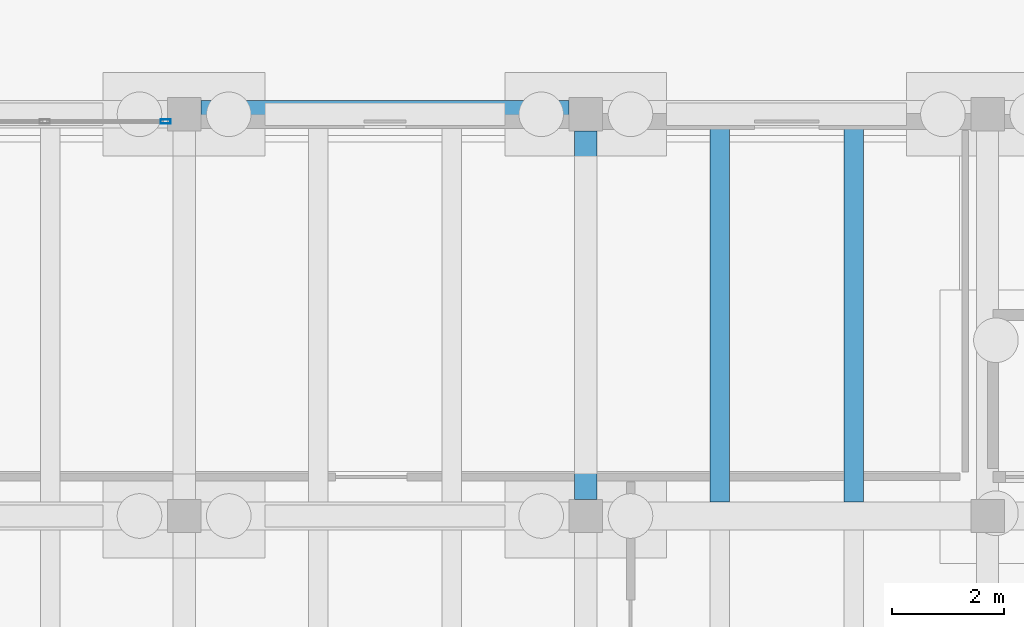
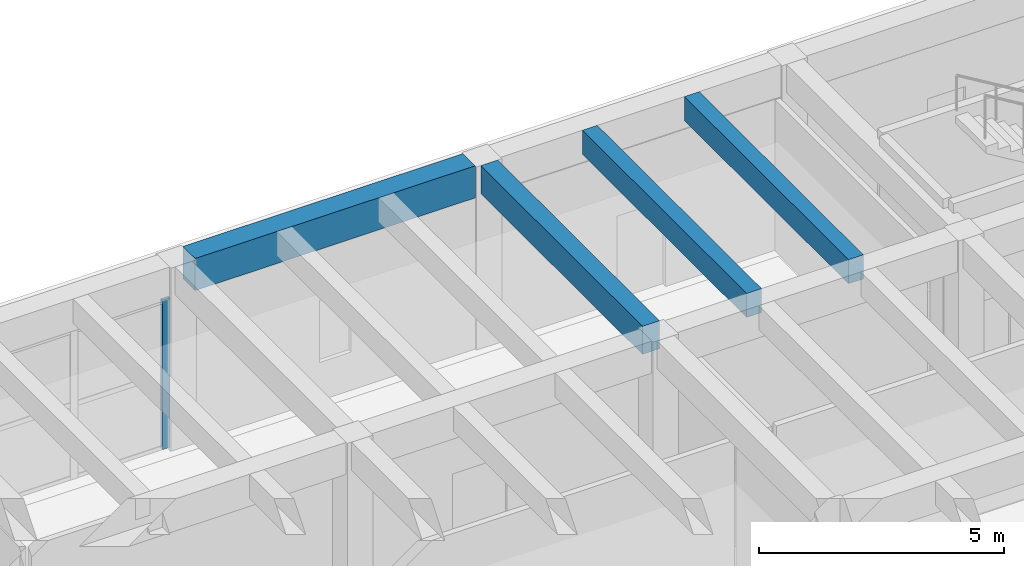
# One storey, part 105 of 155: 4 beams, 1 member, 1 element without a shape of its own.
"""IFC4 building model written with IfcOpenShell, lengths in metres."""

import ifcopenshell
import ifcopenshell.guid

model = None  # the IFC model being written
_history = None  # IfcOwnerHistory: only IFC2X3 demands one
_inside = {}  # id of a spatial element -> (the spatial element, [elements in it])
_under = {}  # id of a project, library or spatial element -> (it, [spatial elements below it])
_declared = {}  # id of a project -> (the project, [libraries it declares])
_typed = {}  # id of a type object -> (the type object, [elements of that type])
_made_of = {}  # id of a material, layer set ... -> (it, [elements and type objects made of it])


def new_model(schema):
    """Start an empty IFC model of exactly this schema.

    Asked for "IFC4X3", IfcOpenShell would pick the latest addendum, in which some entities
    have other attributes; the version numbers below select the first issue.
    IFC2X3 requires an IfcOwnerHistory on every rooted entity: one is made here for all.
    """
    global model, _history
    if schema == "IFC4X3":
        model = ifcopenshell.file(schema_version=(4, 3, 0, 0))
    else:
        model = ifcopenshell.file(schema=schema)
    _inside.clear()
    _under.clear()
    _declared.clear()
    _typed.clear()
    _made_of.clear()
    _history = None
    if model.schema == "IFC2X3":
        org = make("IfcOrganization", Name="unknown")
        user = make(
            "IfcPersonAndOrganization",
            ThePerson=make("IfcPerson", FamilyName="unknown"),
            TheOrganization=org,
        )
        app = make(
            "IfcApplication",
            ApplicationDeveloper=org,
            Version="unknown",
            ApplicationFullName="unknown",
            ApplicationIdentifier="unknown",
        )
        _history = make(
            "IfcOwnerHistory",
            OwningUser=user,
            OwningApplication=app,
            ChangeAction="ADDED",
            CreationDate=0,
        )
    return model


def make(cls, **values):
    """One entity of the class cls with the attributes given. An attribute that is None is left unset."""
    return model.create_entity(
        cls, **{name: value for name, value in values.items() if value is not None}
    )


def rooted(cls, **values):
    """An entity with a GlobalId (a new one), such as an element, a storey or a relation."""
    return make(cls, GlobalId=ifcopenshell.guid.new(), OwnerHistory=_history, **values)


def si_unit(unit_type, name, prefix=None):
    """IfcSIUnit, for example si_unit("LENGTHUNIT", "METRE", prefix="MILLI")."""
    return make("IfcSIUnit", UnitType=unit_type, Prefix=prefix, Name=name)


def assignment(units):
    """IfcUnitAssignment: the units of a project."""
    return None if units is None else make("IfcUnitAssignment", Units=units)


def point(xyz):
    """IfcCartesianPoint."""
    return None if xyz is None else make("IfcCartesianPoint", Coordinates=xyz)


def direction(xyz):
    """IfcDirection."""
    return None if xyz is None else make("IfcDirection", DirectionRatios=xyz)


def frame(location, z_axis=None, x_axis=None):
    """IfcAxis2Placement3D, a coordinate frame: its origin and axes. An axis left out is left unset."""
    return make(
        "IfcAxis2Placement3D",
        Location=point(location),
        Axis=direction(z_axis),
        RefDirection=direction(x_axis),
    )


def frame_2d(location, x_axis=None):
    """IfcAxis2Placement2D, a coordinate frame in the plane: its origin and x axis."""
    return make(
        "IfcAxis2Placement2D", Location=point(location), RefDirection=direction(x_axis)
    )


def origin():
    """The frame at (0, 0, 0) with its axes left unset."""
    return frame((0.0, 0.0, 0.0))


def origin_2d():
    """The frame at (0, 0) in the plane with its x axis left unset."""
    return frame_2d((0.0, 0.0))


def place(relative_to, where):
    """IfcLocalPlacement: puts the frame where relative to a parent placement (None: the world)."""
    return make(
        "IfcLocalPlacement", PlacementRelTo=relative_to, RelativePlacement=where
    )


def context(
    kind, dimensions, precision=None, world=None, true_north=None, identifier=None
):
    """IfcGeometricRepresentationContext, for example the 3D "Model" context."""
    return make(
        "IfcGeometricRepresentationContext",
        ContextIdentifier=identifier,
        ContextType=kind,
        CoordinateSpaceDimension=dimensions,
        Precision=precision,
        WorldCoordinateSystem=world,
        TrueNorth=true_north,
    )


def subcontext(parent, identifier, kind, view, scale=None):
    """IfcGeometricRepresentationSubContext, for example "Body" below "Model"."""
    return make(
        "IfcGeometricRepresentationSubContext",
        ContextIdentifier=identifier,
        ContextType=kind,
        ParentContext=parent,
        TargetScale=scale,
        TargetView=view,
    )


def project(units=None, contexts=None):
    """IfcProject with its units and contexts."""
    return rooted(
        "IfcProject",
        Name="project",
        RepresentationContexts=contexts,
        UnitsInContext=assignment(units),
    )


def spatial(cls, under=None, at=None, **own):
    """A site, building, storey or space (cls), placed at a placement, below another one or the project."""
    s = rooted(cls, ObjectPlacement=at, **own)
    if under is not None:
        _under.setdefault(under.id(), (under, []))[1].append(s)
    return s


def profile(cls, at=None, kind="AREA", **sizes):
    """A parametric profile (cls). Its sizes go by their IFC names, for example OverallWidth=200.0."""
    return make(cls, ProfileType=kind, Position=at, **sizes)


def rectangle(**sizes):
    """IfcRectangleProfileDef."""
    return profile("IfcRectangleProfileDef", **sizes)


def hollow_rectangle(**sizes):
    """IfcRectangleHollowProfileDef."""
    return profile("IfcRectangleHollowProfileDef", **sizes)


def extrude(swept, where, along, depth):
    """IfcExtrudedAreaSolid: the profile swept, set in the frame where, extruded along a direction by depth."""
    return make(
        "IfcExtrudedAreaSolid",
        SweptArea=swept,
        Position=where,
        ExtrudedDirection=direction(along),
        Depth=depth,
    )


def shape(context_of_items, identifier, shape_type, items):
    """IfcShapeRepresentation: the items that make up one representation, for example the "Body"."""
    return make(
        "IfcShapeRepresentation",
        ContextOfItems=context_of_items,
        RepresentationIdentifier=identifier,
        RepresentationType=shape_type,
        Items=items,
    )


def material(Name=None, Category=None):
    """IfcMaterial."""
    return make("IfcMaterial", Name=Name, Category=Category)


def material_profile(
    of_material, cross_section, Name=None, Category=None, Priority=None
):
    """IfcMaterialProfile: a cross section and its material."""
    return make(
        "IfcMaterialProfile",
        Name=Name,
        Material=of_material,
        Profile=cross_section,
        Priority=Priority,
        Category=Category,
    )


def profile_set(profiles, Name=None, composite=None):
    """IfcMaterialProfileSet."""
    return make(
        "IfcMaterialProfileSet",
        Name=Name,
        MaterialProfiles=profiles,
        CompositeProfile=composite,
    )


def made_of(thing, what):
    """Note that an element or type object is made of a material, layer set ...; save() writes the relation."""
    if what is not None:
        _made_of.setdefault(what.id(), (what, []))[1].append(thing)
    return thing


def type_object(cls, material=None, **own):
    """A type object (cls), such as IfcWallType, which elements share."""
    return made_of(rooted(cls, **own), material)


def element(
    cls,
    number,
    at=None,
    inside=None,
    cuts=None,
    type_object=None,
    material=None,
    context=None,
    identifier="Body",
    shape_type=None,
    held_by="IfcProductDefinitionShape",
    body=None,
    shapes=None,
    **own,
):
    """One element of the class cls, such as IfcWall. Its Tag is "e" and its number.

    at: its placement. inside: the storey or other place that contains it. cuts: it is an
    opening in that element (IfcRelVoidsElement). A single representation is given by context,
    identifier, shape_type and body (its items); several are given by shapes. held_by: the class
    of the entity that holds the representations. save() writes the other relations.
    """
    e = rooted(cls, Tag="e%d" % number, ObjectPlacement=at, **own)
    if body is not None:
        shapes = [shape(context, identifier, shape_type, body)]
    if shapes is not None:
        e.Representation = make(held_by, Representations=shapes)
    if inside is not None:
        _inside.setdefault(inside.id(), (inside, []))[1].append(e)
    if cuts is not None:
        rooted(
            "IfcRelVoidsElement", RelatingBuildingElement=cuts, RelatedOpeningElement=e
        )
    if type_object is not None:
        _typed.setdefault(type_object.id(), (type_object, []))[1].append(e)
    return made_of(e, material)


def aggregate(whole, parts):
    """IfcRelAggregates: a whole, such as a stair, and the parts it consists of."""
    return rooted("IfcRelAggregates", RelatingObject=whole, RelatedObjects=parts)


def save(model, path):
    """Write the relations noted so far, then the file.

    IfcRelAggregates (storeys below a building ...), IfcRelContainedInSpatialStructure (elements
    in a storey), IfcRelDefinesByType, IfcRelAssociatesMaterial and IfcRelDeclares: one each for
    every whole, place, type object, material and project.
    """
    for whole, parts in _under.values():
        aggregate(whole, parts)
    for where, things in _inside.values():
        rooted(
            "IfcRelContainedInSpatialStructure",
            RelatedElements=things,
            RelatingStructure=where,
        )
    for kind, things in _typed.values():
        rooted("IfcRelDefinesByType", RelatedObjects=things, RelatingType=kind)
    for what, things in _made_of.values():
        rooted("IfcRelAssociatesMaterial", RelatedObjects=things, RelatingMaterial=what)
    for by, libraries in _declared.values():
        rooted("IfcRelDeclares", RelatingContext=by, RelatedDefinitions=libraries)
    model.write(path)


model = new_model("IFC4")

# Units and contexts
model_context = context("Model", 3, precision=1e-05, world=origin(), true_north=direction((0.0, 1.0)))
body_context = subcontext(model_context, "Body", "Model", "MODEL_VIEW")
ifc_project = project(units=[si_unit("LENGTHUNIT", "METRE"), si_unit("AREAUNIT", "SQUARE_METRE"), si_unit("VOLUMEUNIT", "CUBIC_METRE"), si_unit("PLANEANGLEUNIT", "RADIAN"), si_unit("MASSUNIT", "GRAM", prefix="KILO")], contexts=[model_context])

# Site, building, storey
site_placement = place(None, origin())
site = spatial("IfcSite", under=ifc_project, at=site_placement, CompositionType="ELEMENT")
building_placement = place(site_placement, origin())
building = spatial("IfcBuilding", under=site, at=building_placement, Name="Bramvelor Terrace Health Centre", CompositionType="ELEMENT")
storey_placement = place(building_placement, origin())
storey = spatial("IfcBuildingStorey", under=building, at=storey_placement, Name="L01", CompositionType="ELEMENT", Elevation=0.0)

# Beams
ifc_material_1 = material(Name="Concrete C40/50", Category="concrete")
ifc_material_profile_1 = material_profile(ifc_material_1, rectangle(XDim=0.39990234375, YDim=0.699951171875, at=origin_2d()), Name="RC 400x700")
ifc_profile_set_1 = profile_set([ifc_material_profile_1], Name="Concrete C40/50")
beam_type_1 = type_object("IfcBeamType", Name="BM-RC-G700", PredefinedType="BEAM", material=ifc_profile_set_1)
beam_1_placement = place(storey_placement, frame((151.199951171875, 57.89990234375, 4.2099609375), z_axis=(0.0, 1.0, 0.0), x_axis=(-1.0, 0.0, 0.0)))
element("IfcBeam", 1, at=beam_1_placement, inside=storey, type_object=beam_type_1, Name="L01 Floor Girder", PredefinedType="BEAM", context=body_context, shape_type="SweptSolid", body=[
    extrude(rectangle(XDim=0.39990234375, YDim=0.699951171875, at=origin_2d()), origin(), (0.0, 0.0, 1.0), 6.60009765625),
])
ifc_material_2 = material(Name="Concrete C40/50", Category="concrete")
ifc_material_profile_2 = material_profile(ifc_material_2, rectangle(XDim=0.5, YDim=0.800048828125, at=origin_2d()), Name="RC 500x800")
ifc_profile_set_2 = profile_set([ifc_material_profile_2], Name="Concrete C40/50")
beam_type_2 = type_object("IfcBeamType", Name="BM-RC-G800", PredefinedType="BEAM", material=ifc_profile_set_2)
beam_2_placement = place(storey_placement, frame((144.300048828125, 64.800048828125, 4.159912109375), z_axis=(1.0, 0.0, 0.0), x_axis=(0.0, 1.0, 0.0)))
element("IfcBeam", 2, at=beam_2_placement, inside=storey, type_object=beam_type_2, Name="L01 Floor Girder", PredefinedType="BEAM", context=body_context, shape_type="SweptSolid", body=[
    extrude(rectangle(XDim=0.5, YDim=0.800048828125, at=origin_2d()), origin(), (0.0, 0.0, 1.0), 6.599853515625),
])
ifc_material_3 = material(Name="Concrete C40/50", Category="concrete")
ifc_material_profile_3 = material_profile(ifc_material_3, rectangle(XDim=0.35009765625, YDim=0.60009765625, at=origin_2d()), Name="RC 350x600")
ifc_profile_set_3 = profile_set([ifc_material_profile_3], Name="Concrete C40/50")
beam_type_3 = type_object("IfcBeamType", Name="BM-RC-J600", PredefinedType="JOIST", material=ifc_profile_set_3)
for number, where, z_axis, x_axis, name in (
    (3, (153.60009765625, 57.85009765625, 4.260009765625), (0.0, 1.0, 0.0), (-1.0, 0.0, 0.0), "L01 Secondary Floor Joist"),
    (4, (156.0, 57.85009765625, 4.260009765625), (0.0, 1.0, 0.0), (-1.0, 0.0, 0.0), "L01 Secondary Floor Joist"),
):
    element("IfcBeam", number, at=place(storey_placement, frame(where, z_axis=z_axis, x_axis=x_axis)), inside=storey, type_object=beam_type_3, Name=name, PredefinedType="JOIST", context=body_context, shape_type="SweptSolid", body=[
        extrude(rectangle(XDim=0.35009765625, YDim=0.60009765625, at=origin_2d()), origin(), (0.0, 0.0, 1.0), 6.699951171875),
    ])

# Curtain wall, member
ifc_material_4 = material(Name="Anodized aluminium and double low-E glass", Category="aluminium")
curtain_wall_type = type_object("IfcCurtainWallType", Name="CW-SYS-02", PredefinedType="NOTDEFINED", material=ifc_material_4)
curtain_wall_placement = place(storey_placement, origin())
curtain_wall = element("IfcCurtainWall", 5, at=curtain_wall_placement, inside=storey, type_object=curtain_wall_type, Name="L01 Unitized Curtain Wall 39", PredefinedType="NOTDEFINED")
ifc_material_5 = material(Name="Anodized aluminium 6063-T6", Category="aluminium")
ifc_material_profile_4 = material_profile(ifc_material_5, hollow_rectangle(XDim=0.074951171875, YDim=0.179931640625, WallThickness=0.00341796875, at=origin_2d()), Name="ALU-MUL 75x180x3.5")
ifc_profile_set_4 = profile_set([ifc_material_profile_4], Name="Anodized aluminium 6063-T6")
member_type = type_object("IfcMemberType", Name="CW-MUL-65x180", PredefinedType="MULLION", material=ifc_profile_set_4)
member_placement = place(storey_placement, frame((143.66748046875, 64.669921875, 0.0), z_axis=(0.0, 0.0, 1.0), x_axis=(0.0, 1.0, 0.0)))
member = element("IfcMember", 6, at=member_placement, type_object=member_type, Name="CW-02 mullion 4", PredefinedType="MULLION", context=body_context, shape_type="SweptSolid", body=[
    extrude(hollow_rectangle(XDim=0.074951171875, YDim=0.179931640625, WallThickness=0.00341796875, at=origin_2d()), origin(), (0.0, 0.0, 1.0), 3.719970703125),
])
aggregate(curtain_wall, [member])

save(model, "model.ifc")
